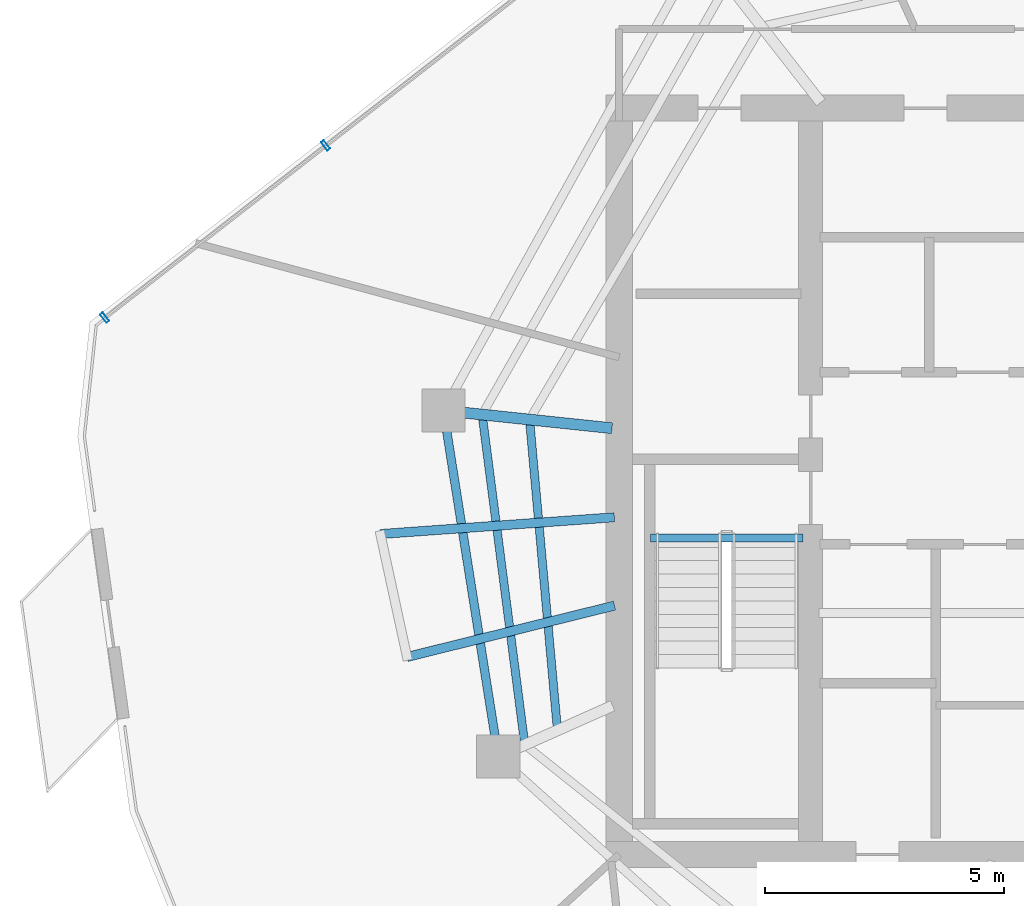
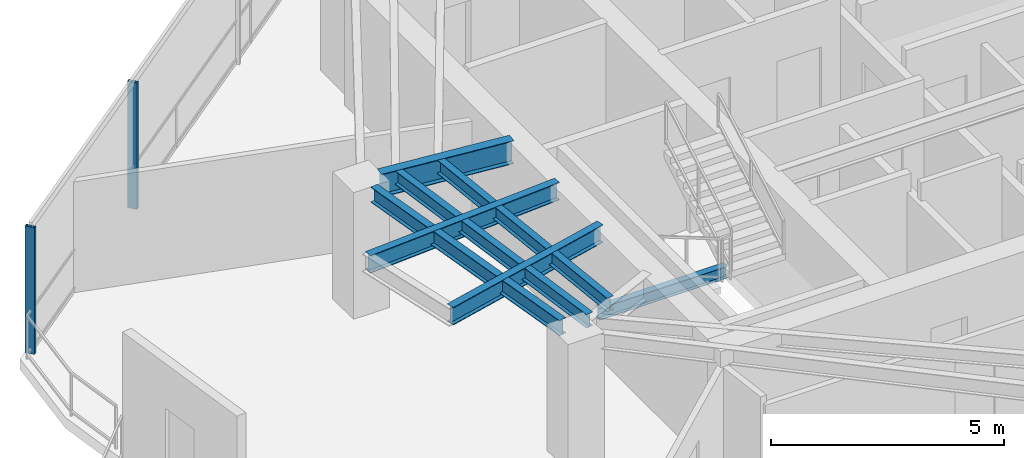
# One storey, part 6 of 19: 7 beams, 2 members, 1 element without a shape of its own.
"""IFC4 building model written with IfcOpenShell, lengths in metres."""

from ifc_helpers import new_model, si_unit, direction, frame, origin, origin_2d, place, context, subcontext, project, spatial, hollow_rectangle, i_section, extrude, material, layer, layer_set, material_profile, profile_set, type_object, element, aggregate, save


model = new_model("IFC4")

# Units and contexts
model_context = context("Model", 3, precision=1e-05, world=origin(), true_north=direction((0.0, 1.0)))
body_context = subcontext(model_context, "Body", "Model", "MODEL_VIEW")
ifc_project = project(units=[si_unit("LENGTHUNIT", "METRE"), si_unit("AREAUNIT", "SQUARE_METRE"), si_unit("VOLUMEUNIT", "CUBIC_METRE"), si_unit("PLANEANGLEUNIT", "RADIAN"), si_unit("MASSUNIT", "GRAM", prefix="KILO")], contexts=[model_context])

# Site, building, storey
site_placement = place(None, origin())
site = spatial("IfcSite", under=ifc_project, at=site_placement, CompositionType="ELEMENT")
building_placement = place(site_placement, origin())
building = spatial("IfcBuilding", under=site, at=building_placement, Name="Qarnah Convention Tower", CompositionType="ELEMENT")
storey_placement = place(building_placement, frame((0.0, 0.0, 209.39990234375)))
storey = spatial("IfcBuildingStorey", under=building, at=storey_placement, Name="L56", CompositionType="ELEMENT", Elevation=209.39990234375)

# Beams
ifc_material_1 = material(Name="Structural steel S355JR", Category="steel")
ifc_material_profile_1 = material_profile(ifc_material_1, i_section(OverallWidth=0.19189453125, OverallDepth=0.464111328125, WebThickness=0.010986328125, FlangeThickness=0.01806640625, at=origin_2d()), Name="W460X89")
ifc_profile_set_1 = profile_set([ifc_material_profile_1], Name="Structural steel S355JR")
beam_type_1 = type_object("IfcBeamType", Name="BM-CANT-W460A", PredefinedType="BEAM", material=ifc_profile_set_1)
beam_1_placement = place(storey_placement, frame((26.702880859375, 23.802001953125, 3.088134765625), z_axis=(-0.970718465503, -0.240220025669, 0.0), x_axis=(0.240220025669, -0.970718465503, 0.0)))
element("IfcBeam", 1, at=beam_1_placement, inside=storey, type_object=beam_type_1, Name="L56 beam BM-L56-CNT-02-1", PredefinedType="BEAM", context=body_context, shape_type="SweptSolid", body=[
    extrude(i_section(OverallWidth=0.19189453125, OverallDepth=0.464111328125, WebThickness=0.010986328125, FlangeThickness=0.01806640625, at=origin_2d()), origin(), (0.0, 0.0, 1.0), 4.466796875),
])
beam_2_placement = place(storey_placement, frame((26.699951171875, 25.64794921875, 3.088134765625), z_axis=(-0.997436151804, -0.071562022574, 0.0), x_axis=(0.071562022574, -0.997436151804, 0.0)))
element("IfcBeam", 2, at=beam_2_placement, inside=storey, type_object=beam_type_1, Name="L56 beam BM-L56-CNT-02-2", PredefinedType="BEAM", context=body_context, shape_type="SweptSolid", body=[
    extrude(i_section(OverallWidth=0.19189453125, OverallDepth=0.464111328125, WebThickness=0.010986328125, FlangeThickness=0.01806640625, at=origin_2d()), origin(), (0.0, 0.0, 1.0), 4.90234375),
])
ifc_material_profile_2 = material_profile(ifc_material_1, i_section(OverallWidth=0.166015625, OverallDepth=0.31201171875, WebThickness=0.007080078125, FlangeThickness=0.010986328125, at=origin_2d()), Name="W310X45")
ifc_profile_set_2 = profile_set([ifc_material_profile_2], Name="Structural steel S355JR")
beam_type_2 = type_object("IfcBeamType", Name="BM-JST-W310", PredefinedType="JOIST", material=ifc_profile_set_2)
beam_3_placement = place(storey_placement, frame((27.4599609375, 25.217041015625, -0.156005859375), z_axis=(1.0, 0.0, 0.0), x_axis=(0.0, 1.0, 0.0)))
element("IfcBeam", 3, at=beam_3_placement, inside=storey, type_object=beam_type_2, Name="L56 stair landing trimmer beam BM-L56-ST1-TRM", PredefinedType="BEAM", context=body_context, shape_type="SweptSolid", body=[
    extrude(i_section(OverallWidth=0.166015625, OverallDepth=0.31201171875, WebThickness=0.007080078125, FlangeThickness=0.010986328125, at=origin_2d()), origin(), (0.0, 0.0, 1.0), 3.179931640625),
])
ifc_material_profile_3 = material_profile(ifc_material_1, i_section(OverallWidth=0.172119140625, OverallDepth=0.35595703125, WebThickness=0.007080078125, FlangeThickness=0.011962890625, at=origin_2d()), Name="W360X51")
ifc_profile_set_3 = profile_set([ifc_material_profile_3], Name="Structural steel S355JR")
beam_type_3 = type_object("IfcBeamType", Name="BM-JST-W360", PredefinedType="JOIST", material=ifc_profile_set_3)
beam_4_placement = place(storey_placement, frame((23.947998046875, 27.705078125, 3.14208984375), z_axis=(0.128155286171, -0.991754113995, 0.0), x_axis=(0.991754113995, 0.128155286171, 0.0)))
element("IfcBeam", 4, at=beam_4_placement, inside=storey, type_object=beam_type_3, Name="L56 joist BM-L56-SJST-05", PredefinedType="JOIST", context=body_context, shape_type="SweptSolid", body=[
    extrude(i_section(OverallWidth=0.172119140625, OverallDepth=0.35595703125, WebThickness=0.007080078125, FlangeThickness=0.011962890625, at=origin_2d()), origin(), (0.0, 0.0, 1.0), 6.780029296875),
])
beam_5_placement = place(storey_placement, frame((24.93505859375, 27.60009765625, 3.14208984375), z_axis=(0.089573904604, -0.995980178324, 0.0), x_axis=(0.995980178324, 0.089573904604, 0.0)))
element("IfcBeam", 5, at=beam_5_placement, inside=storey, type_object=beam_type_3, Name="L56 joist BM-L56-IJST-05", PredefinedType="JOIST", context=body_context, shape_type="SweptSolid", body=[
    extrude(i_section(OverallWidth=0.172119140625, OverallDepth=0.35595703125, WebThickness=0.007080078125, FlangeThickness=0.011962890625, at=origin_2d()), origin(), (0.0, 0.0, 1.0), 6.339599609375),
])
ifc_material_profile_4 = material_profile(ifc_material_1, i_section(OverallWidth=0.22802734375, OverallDepth=0.60791015625, WebThickness=0.010986328125, FlangeThickness=0.01708984375, at=origin_2d()), Name="W610X113")
ifc_profile_set_4 = profile_set([ifc_material_profile_4], Name="Structural steel S355JR")
beam_type_4 = type_object("IfcBeamType", Name="BM-RAD-W610B", PredefinedType="BEAM", material=ifc_profile_set_4)
beam_6_placement = place(storey_placement, frame((26.65087890625, 27.509033203125, 3.01611328125), z_axis=(-0.99453335923, 0.104419334317, 0.0), x_axis=(-0.104419334317, -0.99453335923, 0.0)))
element("IfcBeam", 6, at=beam_6_placement, inside=storey, type_object=beam_type_4, Name="L56 beam BM-L56-RAD-05", PredefinedType="BEAM", context=body_context, shape_type="SweptSolid", body=[
    extrude(i_section(OverallWidth=0.22802734375, OverallDepth=0.60791015625, WebThickness=0.010986328125, FlangeThickness=0.01708984375, at=origin_2d()), origin(), (0.0, 0.0, 1.0), 3.112060546875),
])
ifc_material_profile_5 = material_profile(ifc_material_1, i_section(OverallWidth=0.179931640625, OverallDepth=0.39990234375, WebThickness=0.009033203125, FlangeThickness=0.013916015625, at=origin_2d()), Name="IPE400")
ifc_profile_set_5 = profile_set([ifc_material_profile_5], Name="Structural steel S355JR")
beam_type_5 = type_object("IfcBeamType", Name="BM-SPN-IPE400", PredefinedType="SPANDREL", material=ifc_profile_set_5)
beam_7_placement = place(storey_placement, frame((23.197021484375, 27.444091796875, 3.1201171875), z_axis=(0.156301127146, -0.987709450017, 0.0), x_axis=(0.987709450017, 0.156301127146, 0.0)))
element("IfcBeam", 7, at=beam_7_placement, inside=storey, type_object=beam_type_5, Name="L56 spandrel BM-L56-SPN-05", PredefinedType="SPANDREL", context=body_context, shape_type="SweptSolid", body=[
    extrude(i_section(OverallWidth=0.179931640625, OverallDepth=0.39990234375, WebThickness=0.009033203125, FlangeThickness=0.013916015625, at=origin_2d()), origin(), (0.0, 0.0, 1.0), 6.443115234375),
])

# Curtain wall, members
ifc_material_2 = material(Name="Tempered Low-E dark glass", Category="glass")
ifc_layer = layer(ifc_material_2, 0.174072265625)
ifc_layer_set = layer_set([ifc_layer], Name="Tempered Low-E dark glass")
curtain_wall_type = type_object("IfcCurtainWallType", Name="CWS-04", PredefinedType="NOTDEFINED", material=ifc_layer_set)
curtain_wall_placement = place(storey_placement, origin())
curtain_wall = element("IfcCurtainWall", 8, at=curtain_wall_placement, inside=storey, type_object=curtain_wall_type, Name="L56 unitised curtain wall CW-L56-F3", PredefinedType="NOTDEFINED")
ifc_material_3 = material(Name="Black anodised aluminium", Category="aluminium")
ifc_material_profile_6 = material_profile(ifc_material_3, hollow_rectangle(XDim=0.074951171875, YDim=0.219970703125, WallThickness=0.0048828125, at=origin_2d()), Name="MUL-75X220")
ifc_profile_set_6 = profile_set([ifc_material_profile_6], Name="Black anodised aluminium")
member_type = type_object("IfcMemberType", Name="MUL-T4", PredefinedType="MULLION", material=ifc_profile_set_6)
member_1_placement = place(storey_placement, frame((16.048095703125, 29.821044921875, 0.0), z_axis=(0.0, 0.0, 1.0), x_axis=(0.788875563731, 0.614552963501, 0.0)))
member_1 = element("IfcMember", 9, at=member_1_placement, type_object=member_type, Name="CW-L56-F3 mullion 1", PredefinedType="MULLION", context=body_context, shape_type="SweptSolid", body=[
    extrude(hollow_rectangle(XDim=0.074951171875, YDim=0.219970703125, WallThickness=0.0048828125, at=origin_2d()), origin(), (0.0, 0.0, 1.0), 3.320068359375),
])
member_2_placement = place(storey_placement, frame((20.66650390625, 33.4189453125, 0.0), z_axis=(0.0, 0.0, 1.0), x_axis=(0.788875563731, 0.614552963501, 0.0)))
member_2 = element("IfcMember", 10, at=member_2_placement, type_object=member_type, Name="CW-L56-F3 mullion 2", PredefinedType="MULLION", context=body_context, shape_type="SweptSolid", body=[
    extrude(hollow_rectangle(XDim=0.074951171875, YDim=0.219970703125, WallThickness=0.0048828125, at=origin_2d()), origin(), (0.0, 0.0, 1.0), 3.320068359375),
])
aggregate(curtain_wall, [member_1, member_2])

save(model, "model.ifc")
